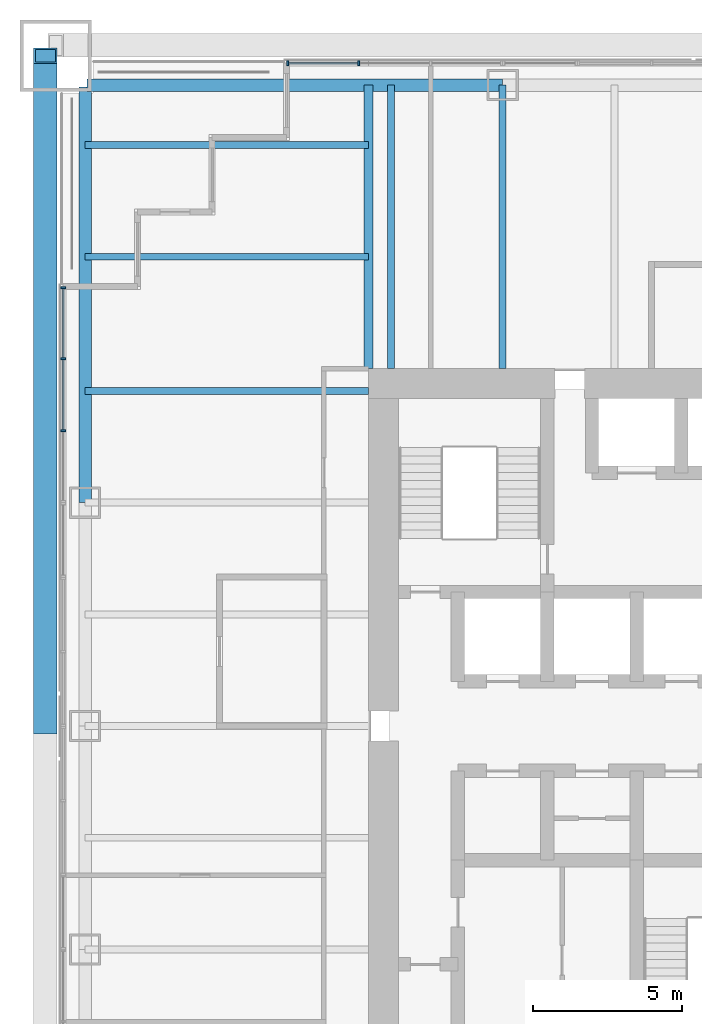
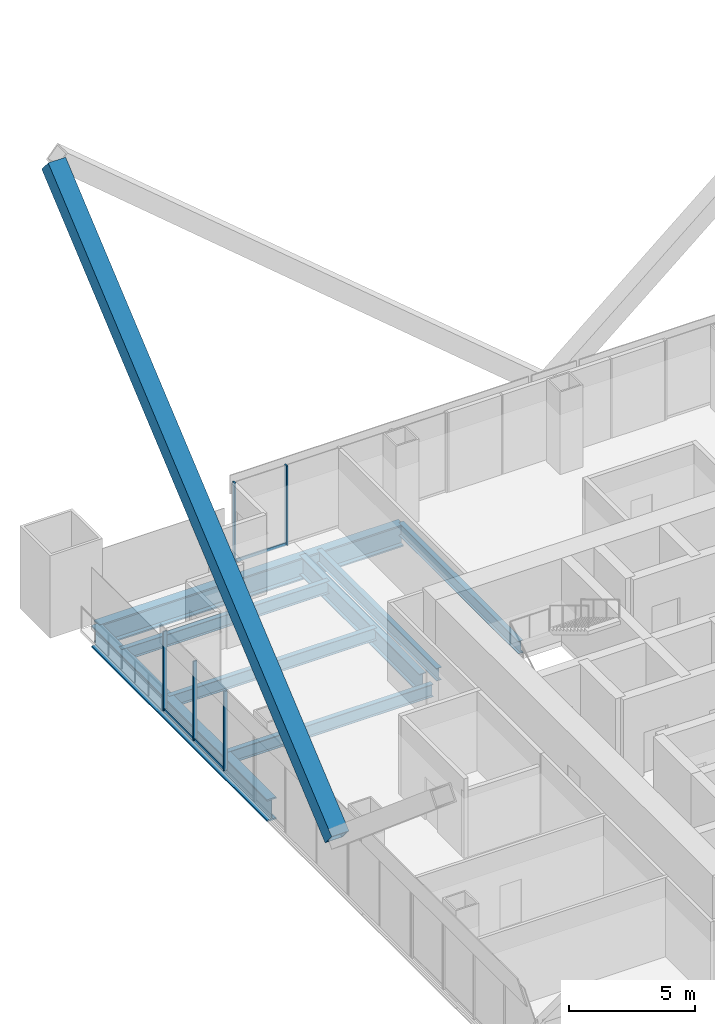
# One storey, part 9 of 19: 9 members, 8 beams, 2 elements without a shape of their own.
"""IFC4 building model written with IfcOpenShell, lengths in metres."""

from ifc_helpers import new_model, si_unit, direction, frame, origin, origin_2d, place, context, subcontext, project, spatial, rectangle, hollow_rectangle, i_section, extrude, material, material_profile, profile_set, type_object, element, aggregate, save


model = new_model("IFC4")

# Units and contexts
model_context = context("Model", 3, precision=1e-05, world=origin(), true_north=direction((0.0, 1.0)))
body_context = subcontext(model_context, "Body", "Model", "MODEL_VIEW")
ifc_project = project(units=[si_unit("LENGTHUNIT", "METRE"), si_unit("AREAUNIT", "SQUARE_METRE"), si_unit("VOLUMEUNIT", "CUBIC_METRE"), si_unit("PLANEANGLEUNIT", "RADIAN"), si_unit("MASSUNIT", "GRAM", prefix="KILO")], contexts=[model_context])

# Site, building, storey
site_placement = place(None, origin())
site = spatial("IfcSite", under=ifc_project, at=site_placement, CompositionType="ELEMENT")
building_placement = place(site_placement, origin())
building = spatial("IfcBuilding", under=site, at=building_placement, Name="Tarangal Relay Tower", CompositionType="ELEMENT")
storey_placement = place(building_placement, frame((0.0, 0.0, 193.89990234375)))
storey = spatial("IfcBuildingStorey", under=building, at=storey_placement, Name="L40", CompositionType="ELEMENT", Elevation=193.89990234375)

# Beams
ifc_material_1 = material(Name="Steel ASTM A992", Category="steel")
ifc_material_profile_1 = material_profile(ifc_material_1, i_section(OverallWidth=0.227783203125, OverallDepth=0.60205078125, WebThickness=0.010498046875, FlangeThickness=0.014892578125, at=origin_2d()), Name="W24X68")
ifc_profile_set_1 = profile_set([ifc_material_profile_1], Name="Steel ASTM A992")
beam_type_1 = type_object("IfcBeamType", Name="Corner beam W24X68", PredefinedType="JOIST", material=ifc_profile_set_1)
for number, where, z_axis, x_axis, name in (
    (1, (-12.0, 15.75, -0.450927734375), (-1.0, 0.0, 0.0), (0.0, -1.0, 0.0), "Corner beam CB11 W L40"),
    (2, (-12.0, 19.5, -0.450927734375), (-1.0, 0.0, 0.0), (0.0, -1.0, 0.0), "Corner beam CB11 W L40"),
):
    element("IfcBeam", number, at=place(storey_placement, frame(where, z_axis=z_axis, x_axis=x_axis)), inside=storey, type_object=beam_type_1, Name=name, PredefinedType="JOIST", context=body_context, shape_type="SweptSolid", body=[
        extrude(i_section(OverallWidth=0.227783203125, OverallDepth=0.60205078125, WebThickness=0.010498046875, FlangeThickness=0.014892578125, at=origin_2d()), origin(), (0.0, 0.0, 1.0), 9.514892578125),
    ])
ifc_material_profile_2 = material_profile(ifc_material_1, i_section(OverallWidth=0.307373046875, OverallDepth=0.9423828125, WebThickness=0.022216796875, FlangeThickness=0.039794921875, at=origin_2d()), Name="W36X232")
ifc_profile_set_2 = profile_set([ifc_material_profile_2], Name="Steel ASTM A992")
beam_type_2 = type_object("IfcBeamType", Name="Corner girder W36X232", PredefinedType="BEAM", material=ifc_profile_set_2)
beam_placement = place(storey_placement, frame((-12.0, 12.0, -0.62109375), z_axis=(0.0, 1.0, 0.0), x_axis=(-1.0, 0.0, 0.0)))
element("IfcBeam", 3, at=beam_placement, inside=storey, type_object=beam_type_2, Name="Corner girder CG4 W L40", PredefinedType="BEAM", context=body_context, shape_type="SweptSolid", body=[
    extrude(i_section(OverallWidth=0.307373046875, OverallDepth=0.9423828125, WebThickness=0.022216796875, FlangeThickness=0.039794921875, at=origin_2d()), origin(), (0.0, 0.0, 1.0), 9.514892578125),
])
ifc_material_profile_3 = material_profile(ifc_material_1, i_section(OverallWidth=0.41650390625, OverallDepth=1.0693359375, WebThickness=0.0390625, FlangeThickness=0.070068359375, at=origin_2d()), Name="W40X503")
ifc_profile_set_3 = profile_set([ifc_material_profile_3], Name="Steel ASTM A992")
beam_type_3 = type_object("IfcBeamType", Name="Edge girder W40X503", PredefinedType="SPANDREL", material=ifc_profile_set_3)
for number, where, z_axis, x_axis, name in (
    (4, (-21.449951171875, 21.514892578125, -0.6845703125), (1.0, 0.0, 0.0), (0.0, 1.0, 0.0), "Edge girder EG8 N L40"),
    (5, (-21.514892578125, 7.5, -0.6845703125), (0.0, 1.0, 0.0), (-1.0, 0.0, 0.0), "Edge girder EG8 W L40"),
):
    element("IfcBeam", number, at=place(storey_placement, frame(where, z_axis=z_axis, x_axis=x_axis)), inside=storey, type_object=beam_type_3, Name=name, PredefinedType="SPANDREL", context=body_context, shape_type="SweptSolid", body=[
        extrude(i_section(OverallWidth=0.41650390625, OverallDepth=1.0693359375, WebThickness=0.0390625, FlangeThickness=0.070068359375, at=origin_2d()), origin(), (0.0, 0.0, 1.0), 13.949951171875),
    ])
ifc_material_profile_4 = material_profile(ifc_material_1, i_section(OverallWidth=0.22900390625, OverallDepth=0.612060546875, WebThickness=0.011962890625, FlangeThickness=0.01953125, at=origin_2d()), Name="W24X84")
ifc_profile_set_4 = profile_set([ifc_material_profile_4], Name="Steel ASTM A992")
beam_type_4 = type_object("IfcBeamType", Name="Floor beam W24X84", PredefinedType="BEAM", material=ifc_profile_set_4)
for number, where, z_axis, x_axis, name in (
    (6, (-11.25, 12.0, -0.455810546875), (0.0, 1.0, 0.0), (-1.0, 0.0, 0.0), "Floor beam RB12 N L40"),
    (7, (-7.5, 12.0, -0.455810546875), (0.0, 1.0, 0.0), (-1.0, 0.0, 0.0), "Floor beam RB12 N L40"),
    (8, (-12.0, 11.25, -0.455810546875), (-1.0, 0.0, 0.0), (0.0, -1.0, 0.0), "Floor beam RB12 W L40"),
):
    element("IfcBeam", number, at=place(storey_placement, frame(where, z_axis=z_axis, x_axis=x_axis)), inside=storey, type_object=beam_type_4, Name=name, PredefinedType="BEAM", context=body_context, shape_type="SweptSolid", body=[
        extrude(i_section(OverallWidth=0.22900390625, OverallDepth=0.612060546875, WebThickness=0.011962890625, FlangeThickness=0.01953125, at=origin_2d()), origin(), (0.0, 0.0, 1.0), 9.514892578125),
    ])

# Member
ifc_material_2 = material(Name="Steel ASTM A572 Grade 50", Category="steel")
ifc_material_profile_5 = material_profile(ifc_material_2, hollow_rectangle(XDim=0.800048828125, YDim=0.800048828125, WallThickness=0.06494140625, at=origin_2d()), Name="BOX800X800X65")
ifc_profile_set_5 = profile_set([ifc_material_profile_5], Name="Steel ASTM A572 Grade 50")
member_type_1 = type_object("IfcMemberType", Name="Mega brace BOX800X800X65", PredefinedType="BRACE", material=ifc_profile_set_5)
member_1_placement = place(storey_placement, frame((-22.85009765625, 0.0, 3.0), z_axis=(0.0, 0.764029915847, 0.645180817826), x_axis=(-1.0, 0.0, 0.0)))
element("IfcMember", 9, at=member_1_placement, inside=storey, type_object=member_type_1, Name="Mega brace MB3 W face module 1", PredefinedType="BRACE", context=body_context, shape_type="SweptSolid", body=[
    extrude(hollow_rectangle(XDim=0.800048828125, YDim=0.800048828125, WallThickness=0.06494140625, at=origin_2d()), origin(), (0.0, 0.0, 1.0), 29.44921875),
])

# Curtain wall, members
ifc_material_3 = material(Name="Unitised curtain wall, dark glass and black aluminium", Category="aluminium")
curtain_wall_type = type_object("IfcCurtainWallType", Name="Curtain wall CW-A", PredefinedType="USERDEFINED", material=ifc_material_3)
curtain_wall_1_placement = place(storey_placement, origin())
curtain_wall_1 = element("IfcCurtainWall", 10, at=curtain_wall_1_placement, inside=storey, type_object=curtain_wall_type, Name="Curtain wall CW-A N facade L40", ObjectType="UNITISED CURTAIN WALL", PredefinedType="USERDEFINED")
ifc_material_4 = material(Name="Black anodised aluminium mullion", Category="aluminium")
ifc_material_profile_6 = material_profile(ifc_material_4, rectangle(XDim=0.175048828125, YDim=0.06494140625, at=origin_2d()), Name="CW-AM 65X175")
ifc_profile_set_6 = profile_set([ifc_material_profile_6], Name="Black anodised aluminium mullion")
member_type_2 = type_object("IfcMemberType", Name="Mullion CW-A 65 x 175", PredefinedType="MULLION", material=ifc_profile_set_6)
member_2_placement = place(storey_placement, frame((-14.717529296875, 22.25, 0.0), z_axis=(0.0, 0.0, 1.0), x_axis=(0.0, 1.0, 0.0)))
member_2 = element("IfcMember", 11, at=member_2_placement, type_object=member_type_2, Name="CW-A mullion 1", PredefinedType="MULLION", context=body_context, shape_type="SweptSolid", body=[
    extrude(rectangle(XDim=0.175048828125, YDim=0.06494140625, at=origin_2d()), origin(), (0.0, 0.0, 1.0), 3.85009765625),
])
member_3_placement = place(storey_placement, frame((-12.333251953125, 22.25, 0.0), z_axis=(0.0, 0.0, 1.0), x_axis=(0.0, 1.0, 0.0)))
member_3 = element("IfcMember", 12, at=member_3_placement, type_object=member_type_2, Name="CW-A mullion 2", PredefinedType="MULLION", context=body_context, shape_type="SweptSolid", body=[
    extrude(rectangle(XDim=0.175048828125, YDim=0.06494140625, at=origin_2d()), origin(), (0.0, 0.0, 1.0), 3.85009765625),
])

curtain_wall_2_placement = place(storey_placement, origin())
curtain_wall_2 = element("IfcCurtainWall", 13, at=curtain_wall_2_placement, inside=storey, type_object=curtain_wall_type, Name="Curtain wall CW-A W facade L40", ObjectType="UNITISED CURTAIN WALL", PredefinedType="USERDEFINED")
member_4_placement = place(storey_placement, frame((-22.25, 9.916748046875, 0.0), z_axis=(0.0, 0.0, 1.0), x_axis=(-1.0, 0.0, 0.0)))
member_4 = element("IfcMember", 14, at=member_4_placement, type_object=member_type_2, Name="CW-A mullion 2", PredefinedType="MULLION", context=body_context, shape_type="SweptSolid", body=[
    extrude(rectangle(XDim=0.175048828125, YDim=0.06494140625, at=origin_2d()), origin(), (0.0, 0.0, 1.0), 3.85009765625),
])
member_5_placement = place(storey_placement, frame((-22.25, 12.333251953125, 0.0), z_axis=(0.0, 0.0, 1.0), x_axis=(-1.0, 0.0, 0.0)))
member_5 = element("IfcMember", 15, at=member_5_placement, type_object=member_type_2, Name="CW-A mullion 3", PredefinedType="MULLION", context=body_context, shape_type="SweptSolid", body=[
    extrude(rectangle(XDim=0.175048828125, YDim=0.06494140625, at=origin_2d()), origin(), (0.0, 0.0, 1.0), 3.85009765625),
])
member_6_placement = place(storey_placement, frame((-22.25, 14.717529296875, 0.0), z_axis=(0.0, 0.0, 1.0), x_axis=(-1.0, 0.0, 0.0)))
member_6 = element("IfcMember", 16, at=member_6_placement, type_object=member_type_2, Name="CW-A mullion 4", PredefinedType="MULLION", context=body_context, shape_type="SweptSolid", body=[
    extrude(rectangle(XDim=0.175048828125, YDim=0.06494140625, at=origin_2d()), origin(), (0.0, 0.0, 1.0), 3.85009765625),
])

# Member
ifc_material_5 = material(Name="Black anodised aluminium transom", Category="aluminium")
ifc_material_profile_7 = material_profile(ifc_material_5, rectangle(XDim=0.06494140625, YDim=0.14990234375, at=origin_2d()), Name="CW-AT 65X150")
ifc_profile_set_7 = profile_set([ifc_material_profile_7], Name="Black anodised aluminium transom")
member_type_3 = type_object("IfcMemberType", Name="Transom CW-A 65 x 150", PredefinedType="USERDEFINED", material=ifc_profile_set_7)
member_7_placement = place(storey_placement, frame((-14.68505859375, 22.25, 0.03271484375), z_axis=(1.0, 0.0, 0.0), x_axis=(0.0, 1.0, 0.0)))
member_7 = element("IfcMember", 17, at=member_7_placement, type_object=member_type_3, Name="CW-A transom 1.1", ObjectType="TRANSOM", PredefinedType="USERDEFINED", context=body_context, shape_type="SweptSolid", body=[
    extrude(rectangle(XDim=0.06494140625, YDim=0.14990234375, at=origin_2d()), origin(), (0.0, 0.0, 1.0), 2.3193359375),
])

aggregate(curtain_wall_1, [member_2, member_3, member_7])

member_8_placement = place(storey_placement, frame((-22.25, 9.94921875, 0.03271484375), z_axis=(0.0, 1.0, 0.0), x_axis=(-1.0, 0.0, 0.0)))
member_8 = element("IfcMember", 18, at=member_8_placement, type_object=member_type_3, Name="CW-A transom 2.1", ObjectType="TRANSOM", PredefinedType="USERDEFINED", context=body_context, shape_type="SweptSolid", body=[
    extrude(rectangle(XDim=0.06494140625, YDim=0.14990234375, at=origin_2d()), origin(), (0.0, 0.0, 1.0), 2.3515625),
])

member_9_placement = place(storey_placement, frame((-22.25, 12.36572265625, 0.03271484375), z_axis=(0.0, 1.0, 0.0), x_axis=(-1.0, 0.0, 0.0)))
member_9 = element("IfcMember", 19, at=member_9_placement, type_object=member_type_3, Name="CW-A transom 3.1", ObjectType="TRANSOM", PredefinedType="USERDEFINED", context=body_context, shape_type="SweptSolid", body=[
    extrude(rectangle(XDim=0.06494140625, YDim=0.14990234375, at=origin_2d()), origin(), (0.0, 0.0, 1.0), 2.3193359375),
])

aggregate(curtain_wall_2, [member_4, member_5, member_6, member_8, member_9])

save(model, "model.ifc")
